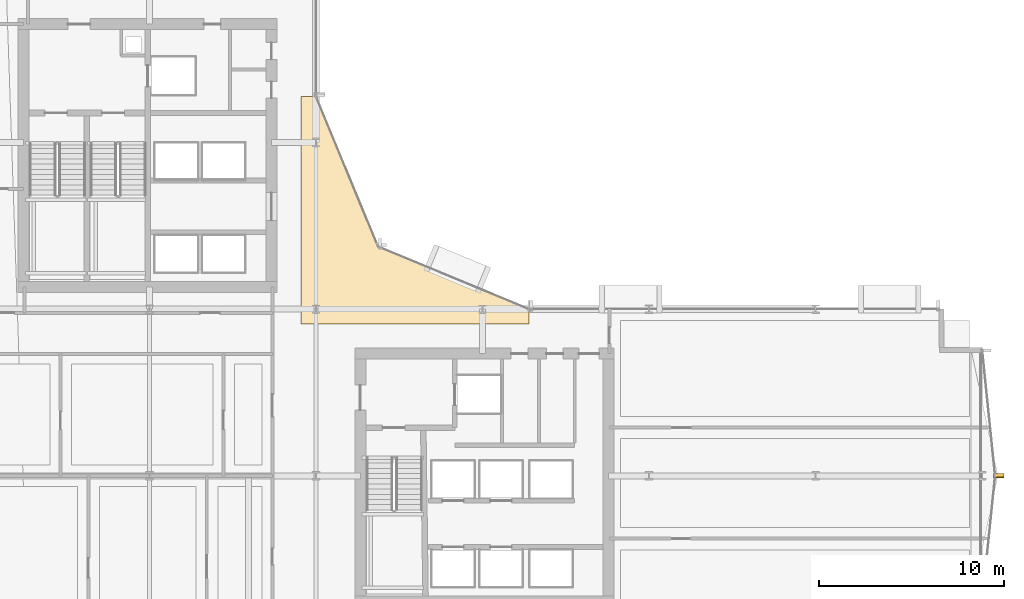
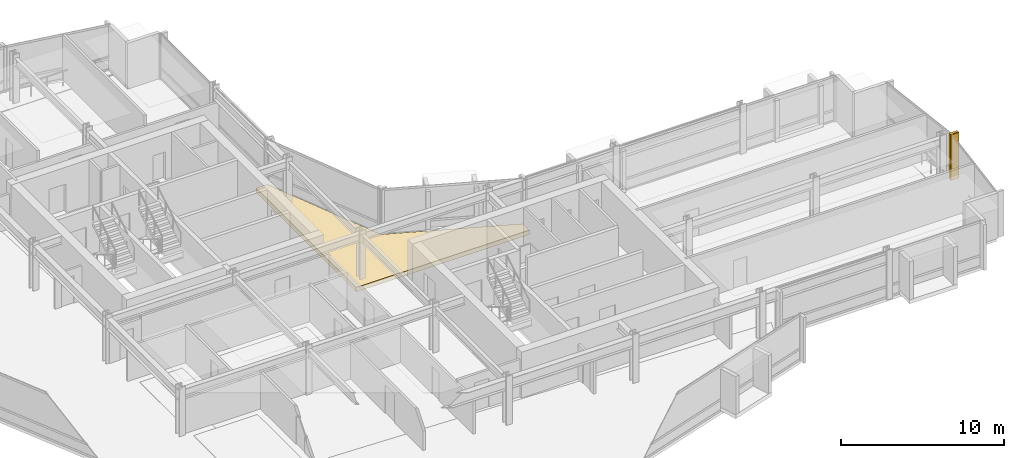
# One storey, part 34 of 34: 3 coverings.
"""IFC4 building model written with IfcOpenShell, lengths in metres."""

from ifc_helpers import new_model, si_unit, direction, frame, origin, origin_2d, place, context, subcontext, project, spatial, polyline, rectangle, outline, extrude, material, layer, layer_set, type_object, element, save


model = new_model("IFC4")

# Units and contexts
model_context = context("Model", 3, precision=1e-05, world=origin(), true_north=direction((0.0, 1.0)))
body_context = subcontext(model_context, "Body", "Model", "MODEL_VIEW")
ifc_project = project(units=[si_unit("LENGTHUNIT", "METRE"), si_unit("AREAUNIT", "SQUARE_METRE"), si_unit("VOLUMEUNIT", "CUBIC_METRE"), si_unit("PLANEANGLEUNIT", "RADIAN"), si_unit("MASSUNIT", "GRAM", prefix="KILO")], contexts=[model_context])

# Site, building, storey
site_placement = place(None, origin())
site = spatial("IfcSite", under=ifc_project, at=site_placement, CompositionType="ELEMENT")
building_placement = place(site_placement, origin())
building = spatial("IfcBuilding", under=site, at=building_placement, Name="Solvaryn Broadcast Tower", CompositionType="ELEMENT")
storey_placement = place(building_placement, frame((0.0, 0.0, 76.699951171875)))
storey = spatial("IfcBuildingStorey", under=building, at=storey_placement, Name="L18", CompositionType="ELEMENT", Elevation=76.699951171875)

# Coverings
ifc_material_1 = material(Name="Extruded Architectural Terracotta Fin", Category="masonry")
ifc_layer_1 = layer(ifc_material_1, 0.179931640625)
ifc_layer_set_1 = layer_set([ifc_layer_1], Name="CV-TC-FIN")
covering_type_1 = type_object("IfcCoveringType", Name="CV-TC-FIN", PredefinedType="USERDEFINED", material=ifc_layer_set_1)
for number, where, z_axis, x_axis, name in (
    (1, (63.884521484375, 18.02978515625, 0.0), (0.0, 0.0, 1.0), (1.0, 0.0, 0.0), "L18 Terracotta Vertical Fin FIN-L18-ET1-M01"),
    (2, (63.884521484375, 17.97021484375, 0.0), (0.0, 0.0, 1.0), (1.0, 0.0, 0.0), "L18 Terracotta Vertical Fin FIN-L18-ET2-M00"),
):
    element("IfcCovering", number, at=place(storey_placement, frame(where, z_axis=z_axis, x_axis=x_axis)), inside=storey, type_object=covering_type_1, Name=name, ObjectType="FIN", PredefinedType="USERDEFINED", context=body_context, shape_type="SweptSolid", body=[
        extrude(rectangle(XDim=0.580078125, YDim=0.179931640625, at=origin_2d()), origin(), (0.0, 0.0, 1.0), 3.419921875),
    ])
ifc_material_2 = material(Name="Sculpted Architectural Terracotta Wave Fascia", Category="masonry")
ifc_layer_2 = layer(ifc_material_2, 0.340087890625)
ifc_layer_set_2 = layer_set([ifc_layer_2], Name="CV-WAVE-TRAY")
covering_type_2 = type_object("IfcCoveringType", Name="CV-WAVE-TRAY", PredefinedType="CLADDING", material=ifc_layer_set_2)
covering_placement = place(storey_placement, frame((0.0, 0.0, -0.300048828125)))
element("IfcCovering", 3, at=covering_placement, inside=storey, type_object=covering_type_2, Name="L18 Concave Canyon Floor Apron", PredefinedType="CLADDING", context=body_context, shape_type="SweptSolid", body=[
    extrude(outline(polyline([(26.199951171875, 26.199951171875), (38.5, 26.199951171875), (38.5, 27.0), (30.367919921875, 30.367919921875), (27.0, 38.5), (26.199951171875, 38.5), (26.199951171875, 26.199951171875)])), origin(), (0.0, 0.0, 1.0), 0.330078125),
])

save(model, "model.ifc")
